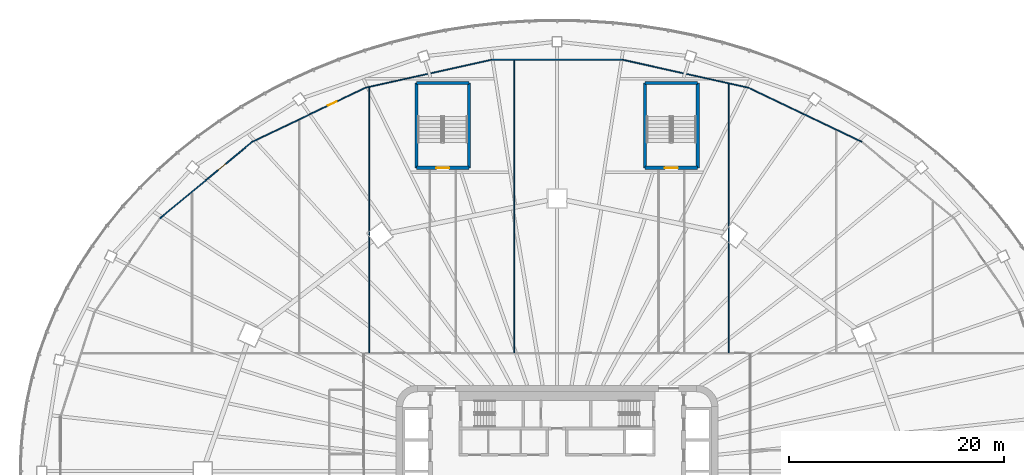
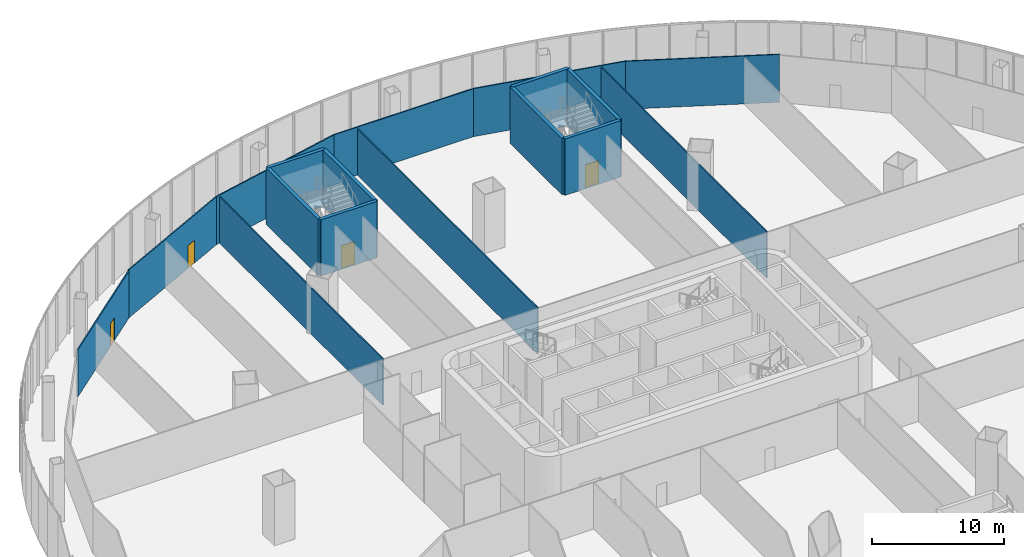
# One storey, part 27 of 42: 17 walls, 4 doors, 4 openings.
"""IFC4 building model written with IfcOpenShell, lengths in metres."""

from ifc_helpers import new_model, si_unit, direction, frame, frame_2d, origin, place, context, subcontext, project, spatial, rectangle, extrude, material, layer, layer_set, type_object, element, fill, save


model = new_model("IFC4")

# Units and contexts
model_context = context("Model", 3, precision=1e-05, world=origin(), true_north=direction((0.0, 1.0)))
body_context = subcontext(model_context, "Body", "Model", "MODEL_VIEW")
ifc_project = project(units=[si_unit("LENGTHUNIT", "METRE"), si_unit("AREAUNIT", "SQUARE_METRE"), si_unit("VOLUMEUNIT", "CUBIC_METRE"), si_unit("PLANEANGLEUNIT", "RADIAN"), si_unit("MASSUNIT", "GRAM", prefix="KILO")], contexts=[model_context])

# Site, building, storey
site_placement = place(None, origin())
site = spatial("IfcSite", under=ifc_project, at=site_placement, CompositionType="ELEMENT")
building_placement = place(site_placement, origin())
building = spatial("IfcBuilding", under=site, at=building_placement, Name="Sahrelin Media Tower", CompositionType="ELEMENT")
storey_placement = place(building_placement, frame((0.0, 0.0, 26.0)))
storey = spatial("IfcBuildingStorey", under=building, at=storey_placement, Name="L03", CompositionType="ELEMENT", Elevation=26.0)

# Walls
ifc_material_1 = material(Name="Gypsum board partition")
ifc_layer_1 = layer(ifc_material_1, 0.10009765625)
ifc_layer_set_1 = layer_set([ifc_layer_1], Name="Partition 100")
wall_type_1 = type_object("IfcWallType", Name="Partition 100", PredefinedType="PARTITIONING", material=ifc_layer_set_1)
wall_1_placement = place(storey_placement, frame((28.398681640625, 30.6630859375, 0.0), z_axis=(0.0, 0.0, 1.0), x_axis=(-0.902100999032, 0.431524955878, 0.0)))
element("IfcWall", 1, at=wall_1_placement, inside=storey, type_object=wall_type_1, Name="Wall", PredefinedType="PARTITIONING", context=body_context, shape_type="SweptSolid", body=[
    extrude(rectangle(XDim=11.69091796875, YDim=0.10009765625, at=frame_2d((5.845458984375, 0.0))), origin(), (0.0, 0.0, 1.0), 4.426025390625),
])
wall_2_placement = place(storey_placement, frame((17.852294921875, 35.7080078125, 0.0), z_axis=(0.0, 0.0, 1.0), x_axis=(-0.97623471049, 0.216715920124, 0.0)))
element("IfcWall", 2, at=wall_2_placement, inside=storey, type_object=wall_type_1, Name="Wall", PredefinedType="PARTITIONING", context=body_context, shape_type="SweptSolid", body=[
    extrude(rectangle(XDim=12.049560546875, YDim=0.10009765625, at=frame_2d((6.02490234375, 0.0))), origin(), (0.0, 0.0, 1.0), 4.426025390625),
])
wall_3_placement = place(storey_placement, frame((6.089111328125, 38.3193359375, 0.0), z_axis=(0.0, 0.0, 1.0), x_axis=(-1.0, 0.0, 0.0)))
element("IfcWall", 3, at=wall_3_placement, inside=storey, type_object=wall_type_1, Name="Wall", PredefinedType="PARTITIONING", context=body_context, shape_type="SweptSolid", body=[
    extrude(rectangle(XDim=12.17822265625, YDim=0.10009765625, at=frame_2d((6.089111328125, 0.0))), origin(), (0.0, 0.0, 1.0), 4.426025390625),
])
wall_4_placement = place(storey_placement, frame((-6.089111328125, 38.3193359375, 0.0), z_axis=(0.0, 0.0, 1.0), x_axis=(-0.97623471049, -0.216715920124, 0.0)))
element("IfcWall", 4, at=wall_4_placement, inside=storey, type_object=wall_type_1, Name="Wall", PredefinedType="PARTITIONING", context=body_context, shape_type="SweptSolid", body=[
    extrude(rectangle(XDim=12.049560546875, YDim=0.10009765625, at=frame_2d((6.02490234375, 0.0))), origin(), (0.0, 0.0, 1.0), 4.426025390625),
])

# Wall, opening, door
wall_5_placement = place(storey_placement, frame((-17.852294921875, 35.7080078125, 0.0), z_axis=(0.0, 0.0, 1.0), x_axis=(-0.902100999032, -0.431524955878, 0.0)))
wall_5 = element("IfcWall", 5, at=wall_5_placement, inside=storey, type_object=wall_type_1, Name="Wall", PredefinedType="PARTITIONING", context=body_context, shape_type="SweptSolid", body=[
    extrude(rectangle(XDim=11.69091796875, YDim=0.10009765625, at=frame_2d((5.845458984375, 0.0))), origin(), (0.0, 0.0, 1.0), 4.426025390625),
])
opening_1_placement = place(wall_5_placement, frame((2.949951171875, 0.0, 0.0)))
opening_1 = element("IfcOpeningElement", 6, at=opening_1_placement, cuts=wall_5, Name="Opening L03-D28", PredefinedType="OPENING", context=body_context, shape_type="SweptSolid", body=[
    extrude(rectangle(XDim=0.89990234375, YDim=2.10009765625, at=frame_2d((0.449951171875, 1.050048828125))), frame((0.0, 0.050048828125, 0.0), z_axis=(0.0, -1.0, 0.0), x_axis=(1.0, 0.0, 0.0)), (0.0, 0.0, 1.0), 0.10009765625),
])
ifc_material_2 = material(Name="Timber door leaf", Category="wood")
door_type_1 = type_object("IfcDoorType", Name="Single door 900 x 2100", OperationType="NOTDEFINED", PredefinedType="DOOR", material=ifc_material_2)
door_1_placement = place(opening_1_placement, origin())
door_1 = element("IfcDoor", 7, at=door_1_placement, inside=storey, type_object=door_type_1, Name="Single door", OperationType="SINGLE_SWING_LEFT", OverallHeight=2.10009765625, OverallWidth=0.89990234375, PredefinedType="DOOR", context=body_context, shape_type="SweptSolid", body=[
    extrude(rectangle(XDim=0.89990234375, YDim=2.10009765625, at=frame_2d((0.449951171875, 1.050048828125))), frame((0.0, 0.02490234375, 0.0), z_axis=(0.0, -1.0, 0.0), x_axis=(1.0, 0.0, 0.0)), (0.0, 0.0, 1.0), 0.050048828125),
])
fill(opening_1, door_1)

wall_6_placement = place(storey_placement, frame((-28.398681640625, 30.6630859375, 0.0), z_axis=(0.0, 0.0, 1.0), x_axis=(-0.770046995363, -0.637987166746, 0.0)))
wall_6 = element("IfcWall", 8, at=wall_6_placement, inside=storey, type_object=wall_type_1, Name="Wall", PredefinedType="PARTITIONING", context=body_context, shape_type="SweptSolid", body=[
    extrude(rectangle(XDim=11.182861328125, YDim=0.10009765625, at=frame_2d((5.59130859375, 0.0))), origin(), (0.0, 0.0, 1.0), 4.34521484375),
])
opening_2_placement = place(wall_6_placement, frame((3.199951171875, 0.0, 0.0)))
opening_2 = element("IfcOpeningElement", 9, at=opening_2_placement, cuts=wall_6, Name="Opening L03-D27", PredefinedType="OPENING", context=body_context, shape_type="SweptSolid", body=[
    extrude(rectangle(XDim=0.89990234375, YDim=2.10009765625, at=frame_2d((0.449951171875, 1.050048828125))), frame((0.0, 0.050048828125, 0.0), z_axis=(0.0, -1.0, 0.0), x_axis=(1.0, 0.0, 0.0)), (0.0, 0.0, 1.0), 0.10009765625),
])
door_2_placement = place(opening_2_placement, origin())
door_2 = element("IfcDoor", 10, at=door_2_placement, inside=storey, type_object=door_type_1, Name="Single door", OperationType="SINGLE_SWING_LEFT", OverallHeight=2.10009765625, OverallWidth=0.89990234375, PredefinedType="DOOR", context=body_context, shape_type="SweptSolid", body=[
    extrude(rectangle(XDim=0.89990234375, YDim=2.10009765625, at=frame_2d((0.449951171875, 1.050048828125))), frame((0.0, 0.02490234375, 0.0), z_axis=(0.0, -1.0, 0.0), x_axis=(1.0, 0.0, 0.0)), (0.0, 0.0, 1.0), 0.050048828125),
])
fill(opening_2, door_2)

# Walls
wall_7_placement = place(storey_placement, frame((-17.5, 11.050048828125, 0.0), z_axis=(0.0, 0.0, 1.0), x_axis=(0.0, 1.0, 0.0)))
element("IfcWall", 11, at=wall_7_placement, inside=storey, type_object=wall_type_1, Name="Wall", PredefinedType="PARTITIONING", context=body_context, shape_type="SweptSolid", body=[
    extrude(rectangle(XDim=24.673828125, YDim=0.10009765625, at=frame_2d((12.3369140625, 0.0))), origin(), (0.0, 0.0, 1.0), 4.268310546875),
])
wall_8_placement = place(storey_placement, frame((-4.0, 11.050048828125, 0.0), z_axis=(0.0, 0.0, 1.0), x_axis=(0.0, 1.0, 0.0)))
element("IfcWall", 12, at=wall_8_placement, inside=storey, type_object=wall_type_1, Name="Wall", PredefinedType="PARTITIONING", context=body_context, shape_type="SweptSolid", body=[
    extrude(rectangle(XDim=27.21923828125, YDim=0.10009765625, at=frame_2d((13.609619140625, 0.0))), origin(), (0.0, 0.0, 1.0), 4.268310546875),
])
wall_9_placement = place(storey_placement, frame((16.0, 11.050048828125, 0.0), z_axis=(0.0, 0.0, 1.0), x_axis=(0.0, 1.0, 0.0)))
element("IfcWall", 13, at=wall_9_placement, inside=storey, type_object=wall_type_1, Name="Wall", PredefinedType="PARTITIONING", context=body_context, shape_type="SweptSolid", body=[
    extrude(rectangle(XDim=25.0068359375, YDim=0.10009765625, at=frame_2d((12.50341796875, 0.0))), origin(), (0.0, 0.0, 1.0), 4.277099609375),
])

# Wall, opening, door
ifc_material_3 = material(Name="Concrete C60/75", Category="concrete")
ifc_layer_2 = layer(ifc_material_3, 0.300048828125)
ifc_layer_set_2 = layer_set([ifc_layer_2], Name="Stair enclosure wall 300")
wall_type_2 = type_object("IfcWallType", Name="Stair enclosure wall 300", PredefinedType="SOLIDWALL", material=ifc_layer_set_2)
wall_10_placement = place(storey_placement, frame((13.10009765625, 28.25, 0.0), z_axis=(0.0, 0.0, 1.0), x_axis=(-1.0, 0.0, 0.0)))
wall_10 = element("IfcWall", 14, at=wall_10_placement, inside=storey, type_object=wall_type_2, Name="Stair PS1", PredefinedType="SOLIDWALL", context=body_context, shape_type="SweptSolid", body=[
    extrude(rectangle(XDim=4.900146484375, YDim=0.300048828125, at=frame_2d((2.4501953125, 0.0))), origin(), (0.0, 0.0, 1.0), 5.199951171875),
])
opening_3_placement = place(wall_10_placement, frame((1.85009765625, 0.0, 0.0)))
opening_3 = element("IfcOpeningElement", 15, at=opening_3_placement, cuts=wall_10, Name="Opening L03-D50", PredefinedType="OPENING", context=body_context, shape_type="SweptSolid", body=[
    extrude(rectangle(XDim=1.199951171875, YDim=2.10009765625, at=frame_2d((0.60009765625, 1.050048828125))), frame((0.0, 0.14990234375, 0.0), z_axis=(0.0, -1.0, 0.0), x_axis=(1.0, 0.0, 0.0)), (0.0, 0.0, 1.0), 0.300048828125),
])
ifc_material_4 = material(Name="Steel fire door leaf", Category="steel")
door_type_2 = type_object("IfcDoorType", Name="Stair door 1200 x 2100 EI 120", OperationType="NOTDEFINED", PredefinedType="DOOR", material=ifc_material_4)
door_3_placement = place(opening_3_placement, origin())
door_3 = element("IfcDoor", 16, at=door_3_placement, inside=storey, type_object=door_type_2, Name="Stair door", OperationType="SINGLE_SWING_RIGHT", OverallHeight=2.10009765625, OverallWidth=1.199951171875, PredefinedType="DOOR", context=body_context, shape_type="SweptSolid", body=[
    extrude(rectangle(XDim=1.199951171875, YDim=2.10009765625, at=frame_2d((0.60009765625, 1.050048828125))), frame((0.0, 0.02490234375, 0.0), z_axis=(0.0, -1.0, 0.0), x_axis=(1.0, 0.0, 0.0)), (0.0, 0.0, 1.0), 0.050048828125),
])
fill(opening_3, door_3)

# Walls
wall_11_placement = place(storey_placement, frame((8.199951171875, 28.25, 0.0), z_axis=(0.0, 0.0, 1.0), x_axis=(0.0, 1.0, 0.0)))
element("IfcWall", 17, at=wall_11_placement, inside=storey, type_object=wall_type_2, Name="Stair PS1", PredefinedType="SOLIDWALL", context=body_context, shape_type="SweptSolid", body=[
    extrude(rectangle(XDim=7.89990234375, YDim=0.300048828125, at=frame_2d((3.949951171875, 0.0))), origin(), (0.0, 0.0, 1.0), 5.199951171875),
])
wall_12_placement = place(storey_placement, frame((8.199951171875, 36.14990234375, 0.0), z_axis=(0.0, 0.0, 1.0), x_axis=(1.0, 0.0, 0.0)))
element("IfcWall", 18, at=wall_12_placement, inside=storey, type_object=wall_type_2, Name="Stair PS1", PredefinedType="SOLIDWALL", context=body_context, shape_type="SweptSolid", body=[
    extrude(rectangle(XDim=4.900146484375, YDim=0.300048828125, at=frame_2d((2.4501953125, 0.0))), origin(), (0.0, 0.0, 1.0), 5.199951171875),
])
wall_13_placement = place(storey_placement, frame((13.10009765625, 36.14990234375, 0.0), z_axis=(0.0, 0.0, 1.0), x_axis=(0.0, -1.0, 0.0)))
element("IfcWall", 19, at=wall_13_placement, inside=storey, type_object=wall_type_2, Name="Stair PS1", PredefinedType="SOLIDWALL", context=body_context, shape_type="SweptSolid", body=[
    extrude(rectangle(XDim=7.89990234375, YDim=0.300048828125, at=frame_2d((3.949951171875, 0.0))), origin(), (0.0, 0.0, 1.0), 5.199951171875),
])

# Wall, opening, door
wall_14_placement = place(storey_placement, frame((-8.199951171875, 28.25, 0.0), z_axis=(0.0, 0.0, 1.0), x_axis=(-1.0, 0.0, 0.0)))
wall_14 = element("IfcWall", 20, at=wall_14_placement, inside=storey, type_object=wall_type_2, Name="Stair PS2", PredefinedType="SOLIDWALL", context=body_context, shape_type="SweptSolid", body=[
    extrude(rectangle(XDim=4.900146484375, YDim=0.300048828125, at=frame_2d((2.4501953125, 0.0))), origin(), (0.0, 0.0, 1.0), 5.199951171875),
])
opening_4_placement = place(wall_14_placement, frame((1.85009765625, 0.0, 0.0)))
opening_4 = element("IfcOpeningElement", 21, at=opening_4_placement, cuts=wall_14, Name="Opening L03-D51", PredefinedType="OPENING", context=body_context, shape_type="SweptSolid", body=[
    extrude(rectangle(XDim=1.199951171875, YDim=2.10009765625, at=frame_2d((0.60009765625, 1.050048828125))), frame((0.0, 0.14990234375, 0.0), z_axis=(0.0, -1.0, 0.0), x_axis=(1.0, 0.0, 0.0)), (0.0, 0.0, 1.0), 0.300048828125),
])
door_4_placement = place(opening_4_placement, origin())
door_4 = element("IfcDoor", 22, at=door_4_placement, inside=storey, type_object=door_type_2, Name="Stair door", OperationType="SINGLE_SWING_RIGHT", OverallHeight=2.10009765625, OverallWidth=1.199951171875, PredefinedType="DOOR", context=body_context, shape_type="SweptSolid", body=[
    extrude(rectangle(XDim=1.199951171875, YDim=2.10009765625, at=frame_2d((0.60009765625, 1.050048828125))), frame((0.0, 0.02490234375, 0.0), z_axis=(0.0, -1.0, 0.0), x_axis=(1.0, 0.0, 0.0)), (0.0, 0.0, 1.0), 0.050048828125),
])
fill(opening_4, door_4)

# Walls
wall_15_placement = place(storey_placement, frame((-13.10009765625, 28.25, 0.0), z_axis=(0.0, 0.0, 1.0), x_axis=(0.0, 1.0, 0.0)))
element("IfcWall", 23, at=wall_15_placement, inside=storey, type_object=wall_type_2, Name="Stair PS2", PredefinedType="SOLIDWALL", context=body_context, shape_type="SweptSolid", body=[
    extrude(rectangle(XDim=7.89990234375, YDim=0.300048828125, at=frame_2d((3.949951171875, 0.0))), origin(), (0.0, 0.0, 1.0), 5.199951171875),
])
wall_16_placement = place(storey_placement, frame((-13.10009765625, 36.14990234375, 0.0), z_axis=(0.0, 0.0, 1.0), x_axis=(1.0, 0.0, 0.0)))
element("IfcWall", 24, at=wall_16_placement, inside=storey, type_object=wall_type_2, Name="Stair PS2", PredefinedType="SOLIDWALL", context=body_context, shape_type="SweptSolid", body=[
    extrude(rectangle(XDim=4.900146484375, YDim=0.300048828125, at=frame_2d((2.4501953125, 0.0))), origin(), (0.0, 0.0, 1.0), 5.199951171875),
])
wall_17_placement = place(storey_placement, frame((-8.199951171875, 36.14990234375, 0.0), z_axis=(0.0, 0.0, 1.0), x_axis=(0.0, -1.0, 0.0)))
element("IfcWall", 25, at=wall_17_placement, inside=storey, type_object=wall_type_2, Name="Stair PS2", PredefinedType="SOLIDWALL", context=body_context, shape_type="SweptSolid", body=[
    extrude(rectangle(XDim=7.89990234375, YDim=0.300048828125, at=frame_2d((3.949951171875, 0.0))), origin(), (0.0, 0.0, 1.0), 5.199951171875),
])

save(model, "model.ifc")
